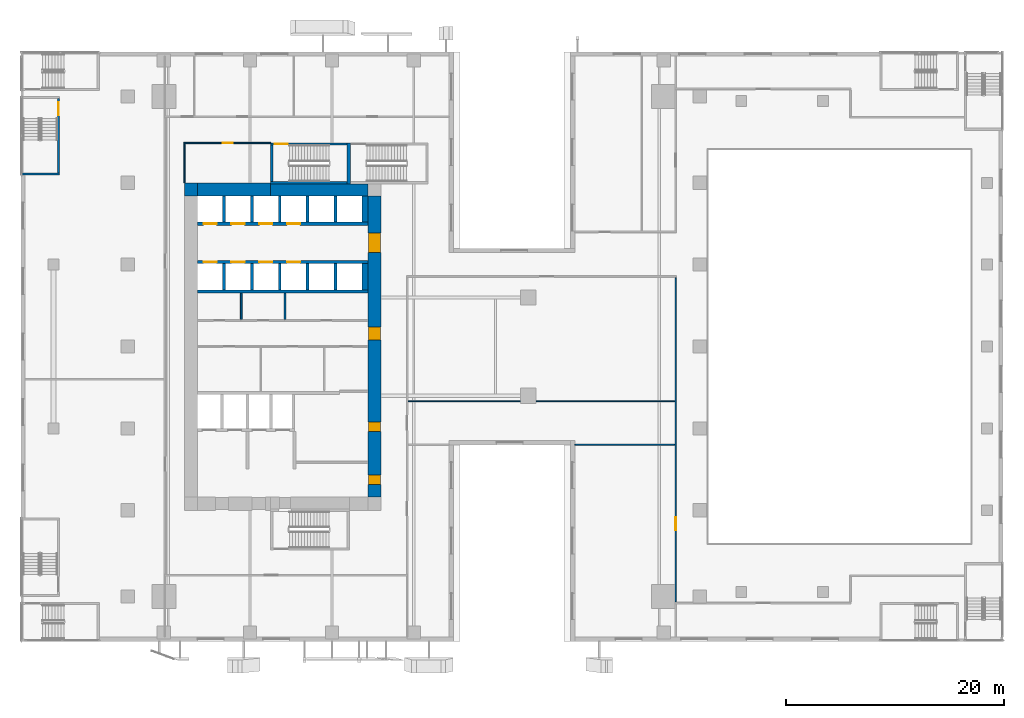
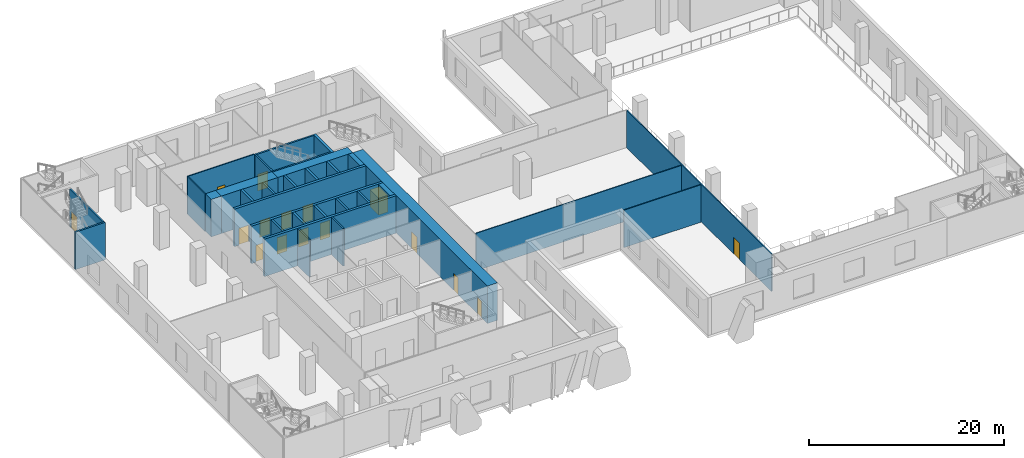
# One storey, part 12 of 23: 32 walls, 16 doors, 16 openings.
"""IFC4 building model written with IfcOpenShell, lengths in metres."""

from ifc_helpers import new_model, si_unit, direction, frame, frame_2d, origin, place, context, subcontext, project, spatial, rectangle, extrude, source, transform, mapped, material, layer, layer_set, type_object, element, fill, save


model = new_model("IFC4")

# Units and contexts
model_context = context("Model", 3, precision=1e-05, world=origin(), true_north=direction((0.0, 1.0)))
body_context = subcontext(model_context, "Body", "Model", "MODEL_VIEW")
ifc_project = project(units=[si_unit("LENGTHUNIT", "METRE"), si_unit("AREAUNIT", "SQUARE_METRE"), si_unit("VOLUMEUNIT", "CUBIC_METRE"), si_unit("PLANEANGLEUNIT", "RADIAN"), si_unit("MASSUNIT", "GRAM", prefix="KILO")], contexts=[model_context])

# Site, building, storey
site_placement = place(None, origin())
site = spatial("IfcSite", under=ifc_project, at=site_placement, CompositionType="ELEMENT")
building_placement = place(site_placement, origin())
building = spatial("IfcBuilding", under=site, at=building_placement, Name="Khomas Fold Tower", CompositionType="ELEMENT")
storey_placement = place(building_placement, frame((0.0, 0.0, 18.5)))
storey = spatial("IfcBuildingStorey", under=building, at=storey_placement, Name="L03", CompositionType="ELEMENT", Elevation=18.5)

# Walls
ifc_material_1 = material(Name="Concrete C70/85", Category="concrete")
ifc_layer_1 = layer(ifc_material_1, 1.199951171875)
ifc_layer_set_1 = layer_set([ifc_layer_1], Name="Concrete C70/85")
wall_type_1 = type_object("IfcWallType", Name="Core wall 1200", PredefinedType="SHEAR", material=ifc_layer_set_1)
shared_shape_1 = source(origin(), body_context, "Body", "SweptSolid", [
    extrude(rectangle(XDim=6.699951171875, YDim=1.199951171875, at=frame_2d((3.35009765625, 0.0))), origin(), (0.0, 0.0, 1.0), 4.699951171875),
])
wall_1_placement = place(storey_placement, frame((7.199951171875, 41.39990234375, 0.0), z_axis=(0.0, 0.0, 1.0), x_axis=(1.0, 0.0, 0.0)))
element("IfcWall", 1, at=wall_1_placement, inside=storey, type_object=wall_type_1, Name="Core wall CW-L-N-B2", PredefinedType="SHEAR", context=body_context, shape_type="MappedRepresentation", body=[
    mapped(shared_shape_1, transform((0.0, 0.0, 0.0))),
])
ifc_material_2 = material(Name="Concrete C70/85", Category="concrete")
ifc_layer_2 = layer(ifc_material_2, 1.10009765625)
ifc_layer_set_2 = layer_set([ifc_layer_2], Name="Concrete C70/85")
wall_type_2 = type_object("IfcWallType", Name="Core wall 1100", PredefinedType="SHEAR", material=ifc_layer_set_2)
shared_shape_2 = source(origin(), body_context, "Body", "SweptSolid", [
    extrude(rectangle(XDim=8.900146484375, YDim=1.10009765625, at=frame_2d((4.4501953125, 0.0))), origin(), (0.0, 0.0, 1.0), 4.699951171875),
])
wall_2_placement = place(storey_placement, frame((13.89990234375, 41.35009765625, 0.0), z_axis=(0.0, 0.0, 1.0), x_axis=(1.0, 0.0, 0.0)))
element("IfcWall", 2, at=wall_2_placement, inside=storey, type_object=wall_type_2, Name="Core wall CW-L-N-B2-1", PredefinedType="SHEAR", context=body_context, shape_type="MappedRepresentation", body=[
    mapped(shared_shape_2, transform((0.0, 0.0, 0.0))),
])
ifc_material_3 = material(Name="Concrete C70/85", Category="concrete")
ifc_layer_3 = layer(ifc_material_3, 1.199951171875)
ifc_layer_set_3 = layer_set([ifc_layer_3], Name="Concrete C70/85")
wall_type_3 = type_object("IfcWallType", Name="Core corner wall 1200", PredefinedType="SHEAR", material=ifc_layer_set_3)
shared_shape_3 = source(origin(), body_context, "Body", "SweptSolid", [
    extrude(rectangle(XDim=1.199951171875, YDim=1.199951171875, at=frame_2d((0.60009765625, 0.0))), origin(), (0.0, 0.0, 1.0), 4.699951171875),
])
wall_3_placement = place(storey_placement, frame((6.0, 41.39990234375, 0.0), z_axis=(0.0, 0.0, 1.0), x_axis=(1.0, 0.0, 0.0)))
element("IfcWall", 3, at=wall_3_placement, inside=storey, type_object=wall_type_3, Name="Core wall CW-L-NW-B2", PredefinedType="SHEAR", context=body_context, shape_type="MappedRepresentation", body=[
    mapped(shared_shape_3, transform((0.0, 0.0, 0.0))),
])

# Wall, openings, doors
shared_shape_4 = source(origin(), body_context, "Body", "SweptSolid", [
    extrude(rectangle(XDim=27.60009765625, YDim=1.199951171875, at=frame_2d((13.800048828125, 0.0))), origin(), (0.0, 0.0, 1.0), 4.699951171875),
])
wall_4_placement = place(storey_placement, frame((23.39990234375, 13.199951171875, 0.0), z_axis=(0.0, 0.0, 1.0), x_axis=(0.0, 1.0, 0.0)))
wall_4 = element("IfcWall", 4, at=wall_4_placement, inside=storey, type_object=wall_type_1, Name="Core wall CW-L-E-B2", PredefinedType="SHEAR", context=body_context, shape_type="MappedRepresentation", body=[
    mapped(shared_shape_4, transform((0.0, 0.0, 0.0))),
])
shared_shape_5 = source(origin(), body_context, "Body", "SweptSolid", [
    extrude(rectangle(XDim=1.800048828125, YDim=2.10009765625, at=frame_2d((0.89990234375, 1.050048828125))), frame((0.0, 0.60986328125, 0.0), z_axis=(0.0, -1.0, 0.0), x_axis=(1.0, 0.0, 0.0)), (0.0, 0.0, 1.0), 1.219970703125),
])
opening_1_placement = place(wall_4_placement, frame((22.39990234375, 0.0, 0.0)))
opening_1 = element("IfcOpeningElement", 5, at=opening_1_placement, cuts=wall_4, Name="Opening 0015", PredefinedType="OPENING", context=body_context, shape_type="MappedRepresentation", body=[
    mapped(shared_shape_5, transform((0.0, 0.0, 0.0))),
])
shared_shape_6 = source(origin(), body_context, "Body", "SweptSolid", [
    extrude(rectangle(XDim=1.199951171875, YDim=2.10009765625, at=frame_2d((0.60009765625, 1.050048828125))), frame((0.0, 0.60986328125, 0.0), z_axis=(0.0, -1.0, 0.0), x_axis=(1.0, 0.0, 0.0)), (0.0, 0.0, 1.0), 1.219970703125),
])
opening_2_placement = place(wall_4_placement, frame((14.39990234375, 0.0, 0.0)))
opening_2 = element("IfcOpeningElement", 6, at=opening_2_placement, cuts=wall_4, Name="Opening 0001", PredefinedType="OPENING", context=body_context, shape_type="MappedRepresentation", body=[
    mapped(shared_shape_6, transform((0.0, 0.0, 0.0))),
])
shared_shape_7 = source(origin(), body_context, "Body", "SweptSolid", [
    extrude(rectangle(XDim=0.89990234375, YDim=2.10009765625, at=frame_2d((0.449951171875, 1.050048828125))), frame((0.0, 0.60986328125, 0.0), z_axis=(0.0, -1.0, 0.0), x_axis=(1.0, 0.0, 0.0)), (0.0, 0.0, 1.0), 1.219970703125),
])
opening_3_placement = place(wall_4_placement, frame((1.14990234375, 0.0, 0.0)))
opening_3 = element("IfcOpeningElement", 7, at=opening_3_placement, cuts=wall_4, Name="Opening 0008", PredefinedType="OPENING", context=body_context, shape_type="MappedRepresentation", body=[
    mapped(shared_shape_7, transform((0.0, 0.0, 0.0))),
])
opening_4_placement = place(wall_4_placement, frame((6.0, 0.0, 0.0)))
opening_4 = element("IfcOpeningElement", 8, at=opening_4_placement, cuts=wall_4, Name="Opening 0003", PredefinedType="OPENING", context=body_context, shape_type="MappedRepresentation", body=[
    mapped(shared_shape_7, transform((0.0, 0.0, 0.0))),
])
ifc_material_4 = material(Name="Timber door leaf", Category="wood")
door_type_1 = type_object("IfcDoorType", Name="Door 1200x2100 right-hand", OperationType="SINGLE_SWING_RIGHT", PredefinedType="DOOR", material=ifc_material_4)
shared_shape_8 = source(origin(), body_context, "Body", "SweptSolid", [
    extrude(rectangle(XDim=1.199951171875, YDim=2.10009765625, at=frame_2d((0.60009765625, 1.050048828125))), frame((0.0, 0.5498046875, 0.0), z_axis=(0.0, -1.0, 0.0), x_axis=(1.0, 0.0, 0.0)), (0.0, 0.0, 1.0), 1.099853515625),
])
door_1_placement = place(opening_2_placement, origin())
door_1 = element("IfcDoor", 9, at=door_1_placement, inside=storey, type_object=door_type_1, Name="Door", OperationType="SINGLE_SWING_RIGHT", OverallHeight=2.10009765625, OverallWidth=1.199951171875, PredefinedType="DOOR", context=body_context, shape_type="MappedRepresentation", body=[
    mapped(shared_shape_8, transform((0.0, 0.0, 0.0))),
])
fill(opening_2, door_1)
ifc_material_5 = material(Name="Timber door leaf", Category="wood")
door_type_2 = type_object("IfcDoorType", Name="Door 900x2100 right-hand", OperationType="SINGLE_SWING_RIGHT", PredefinedType="DOOR", material=ifc_material_5)
shared_shape_9 = source(origin(), body_context, "Body", "SweptSolid", [
    extrude(rectangle(XDim=0.89990234375, YDim=2.10009765625, at=frame_2d((0.449951171875, 1.050048828125))), frame((0.0, 0.5498046875, 0.0), z_axis=(0.0, -1.0, 0.0), x_axis=(1.0, 0.0, 0.0)), (0.0, 0.0, 1.0), 1.099853515625),
])
door_2_placement = place(opening_3_placement, origin())
door_2 = element("IfcDoor", 10, at=door_2_placement, inside=storey, type_object=door_type_2, Name="Door", OperationType="SINGLE_SWING_RIGHT", OverallHeight=2.10009765625, OverallWidth=0.89990234375, PredefinedType="DOOR", context=body_context, shape_type="MappedRepresentation", body=[
    mapped(shared_shape_9, transform((0.0, 0.0, 0.0))),
])
fill(opening_3, door_2)
ifc_material_6 = material(Name="Steel door leaf", Category="steel")
door_type_3 = type_object("IfcDoorType", Name="Plant room door 900x2100 right-hand", OperationType="SINGLE_SWING_RIGHT", PredefinedType="DOOR", material=ifc_material_6)
door_3_placement = place(opening_4_placement, origin())
door_3 = element("IfcDoor", 11, at=door_3_placement, inside=storey, type_object=door_type_3, Name="Plant room door", OperationType="SINGLE_SWING_RIGHT", OverallHeight=2.10009765625, OverallWidth=0.89990234375, PredefinedType="DOOR", context=body_context, shape_type="MappedRepresentation", body=[
    mapped(shared_shape_9, transform((0.0, 0.0, 0.0))),
])
fill(opening_4, door_3)
ifc_material_7 = material(Name="Steel door leaf", Category="steel")
door_type_4 = type_object("IfcDoorType", Name="Lobby door 1800x2100", OperationType="DOUBLE_DOOR_SINGLE_SWING", PredefinedType="DOOR", material=ifc_material_7)
shared_shape_10 = source(origin(), body_context, "Body", "SweptSolid", [
    extrude(rectangle(XDim=1.800048828125, YDim=2.10009765625, at=frame_2d((0.89990234375, 1.050048828125))), frame((0.0, 0.5498046875, 0.0), z_axis=(0.0, -1.0, 0.0), x_axis=(1.0, 0.0, 0.0)), (0.0, 0.0, 1.0), 1.099853515625),
])
door_4_placement = place(opening_1_placement, origin())
door_4 = element("IfcDoor", 12, at=door_4_placement, inside=storey, type_object=door_type_4, Name="Lobby door", OperationType="DOUBLE_DOOR_SINGLE_SWING", OverallHeight=2.10009765625, OverallWidth=1.800048828125, PredefinedType="DOOR", context=body_context, shape_type="MappedRepresentation", body=[
    mapped(shared_shape_10, transform((0.0, 0.0, 0.0))),
])
fill(opening_1, door_4)

# Wall, opening, door
ifc_material_8 = material(Name="Concrete C50/60", Category="concrete")
ifc_layer_4 = layer(ifc_material_8, 0.199951171875)
ifc_layer_set_4 = layer_set([ifc_layer_4], Name="Concrete C50/60")
wall_type_4 = type_object("IfcWallType", Name="Stair wall 200", PredefinedType="SHEAR", material=ifc_layer_set_4)
shared_shape_11 = source(origin(), body_context, "Body", "SweptSolid", [
    extrude(rectangle(XDim=7.0, YDim=0.199951171875, at=frame_2d((3.5, 0.0))), origin(), (0.0, 0.0, 1.0), 4.699951171875),
])
wall_5_placement = place(storey_placement, frame((13.89990234375, 45.550048828125, 0.0), z_axis=(0.0, 0.0, 1.0), x_axis=(1.0, 0.0, 0.0)))
wall_5 = element("IfcWall", 13, at=wall_5_placement, inside=storey, type_object=wall_type_4, Name="Stair wall SW-ST1-N", PredefinedType="SHEAR", context=body_context, shape_type="MappedRepresentation", body=[
    mapped(shared_shape_11, transform((0.0, 0.0, 0.0))),
])
shared_shape_12 = source(origin(), body_context, "Body", "SweptSolid", [
    extrude(rectangle(XDim=1.199951171875, YDim=2.10009765625, at=frame_2d((0.60009765625, 1.050048828125))), frame((0.0, 0.10986328125, 0.0), z_axis=(0.0, -1.0, 0.0), x_axis=(1.0, 0.0, 0.0)), (0.0, 0.0, 1.0), 0.219970703125),
])
opening_5_placement = place(wall_5_placement, frame((0.35009765625, 0.0, 0.0)))
opening_5 = element("IfcOpeningElement", 14, at=opening_5_placement, cuts=wall_5, Name="Opening SD-ST1", PredefinedType="OPENING", context=body_context, shape_type="MappedRepresentation", body=[
    mapped(shared_shape_12, transform((0.0, 0.0, 0.0))),
])
ifc_material_9 = material(Name="Steel door leaf", Category="steel")
door_type_5 = type_object("IfcDoorType", Name="Stair door 1200x2100 left-hand", OperationType="SINGLE_SWING_LEFT", PredefinedType="DOOR", material=ifc_material_9)
shared_shape_13 = source(origin(), body_context, "Body", "SweptSolid", [
    extrude(rectangle(XDim=1.199951171875, YDim=2.10009765625, at=frame_2d((0.60009765625, 1.050048828125))), frame((0.0, 0.02490234375, 0.0), z_axis=(0.0, -1.0, 0.0), x_axis=(1.0, 0.0, 0.0)), (0.0, 0.0, 1.0), 0.050048828125),
])
door_5_placement = place(opening_5_placement, origin())
door_5 = element("IfcDoor", 15, at=door_5_placement, inside=storey, type_object=door_type_5, Name="Stair door", OperationType="SINGLE_SWING_LEFT", OverallHeight=2.10009765625, OverallWidth=1.199951171875, PredefinedType="DOOR", context=body_context, shape_type="MappedRepresentation", body=[
    mapped(shared_shape_13, transform((0.0, 0.0, 0.0))),
])
fill(opening_5, door_5)

# Walls
wall_6_placement = place(storey_placement, frame((13.89990234375, 42.0, 0.0), z_axis=(0.0, 0.0, 1.0), x_axis=(1.0, 0.0, 0.0)))
element("IfcWall", 16, at=wall_6_placement, inside=storey, type_object=wall_type_4, Name="Stair wall SW-ST1-S", PredefinedType="SHEAR", context=body_context, shape_type="MappedRepresentation", body=[
    mapped(shared_shape_11, transform((0.0, 0.0, 0.0))),
])
ifc_material_10 = material(Name="Concrete C50/60", Category="concrete")
ifc_layer_5 = layer(ifc_material_10, 0.300048828125)
ifc_layer_set_5 = layer_set([ifc_layer_5], Name="Concrete C50/60")
wall_type_5 = type_object("IfcWallType", Name="Stair wall 300", PredefinedType="SHEAR", material=ifc_layer_set_5)
shared_shape_14 = source(origin(), body_context, "Body", "SweptSolid", [
    extrude(rectangle(XDim=3.75, YDim=0.300048828125, at=frame_2d((1.875, 0.0))), origin(), (0.0, 0.0, 1.0), 4.699951171875),
])
wall_7_placement = place(storey_placement, frame((21.050048828125, 41.89990234375, 0.0), z_axis=(0.0, 0.0, 1.0), x_axis=(0.0, 1.0, 0.0)))
element("IfcWall", 17, at=wall_7_placement, inside=storey, type_object=wall_type_5, Name="Stair wall SW-ST1-E", PredefinedType="SHEAR", context=body_context, shape_type="MappedRepresentation", body=[
    mapped(shared_shape_14, transform((0.0, 0.0, 0.0))),
])
shared_shape_15 = source(origin(), body_context, "Body", "SweptSolid", [
    extrude(rectangle(XDim=3.349853515625, YDim=0.199951171875, at=frame_2d((1.6748046875, 0.0))), origin(), (0.0, 0.0, 1.0), 4.699951171875),
])
wall_8_placement = place(storey_placement, frame((14.0, 42.10009765625, 0.0), z_axis=(0.0, 0.0, 1.0), x_axis=(0.0, 1.0, 0.0)))
element("IfcWall", 18, at=wall_8_placement, inside=storey, type_object=wall_type_4, Name="Stair wall SW-ST1-W", PredefinedType="SHEAR", context=body_context, shape_type="MappedRepresentation", body=[
    mapped(shared_shape_15, transform((0.0, 0.0, 0.0))),
])
ifc_material_11 = material(Name="Concrete C50/60", Category="concrete")
ifc_layer_6 = layer(ifc_material_11, 0.300048828125)
ifc_layer_set_6 = layer_set([ifc_layer_6], Name="Concrete C50/60")
wall_type_6 = type_object("IfcWallType", Name="Shaft wall 300", PredefinedType="STANDARD", material=ifc_layer_set_6)
shared_shape_16 = source(origin(), body_context, "Body", "SweptSolid", [
    extrude(rectangle(XDim=15.60009765625, YDim=0.300048828125, at=frame_2d((7.800048828125, 0.0))), origin(), (0.0, 0.0, 1.0), 4.699951171875),
])
wall_9_placement = place(storey_placement, frame((7.199951171875, 32.050048828125, 0.0), z_axis=(0.0, 0.0, 1.0), x_axis=(1.0, 0.0, 0.0)))
element("IfcWall", 19, at=wall_9_placement, inside=storey, type_object=wall_type_6, Name="Core wall SW-HRN-B", PredefinedType="STANDARD", context=body_context, shape_type="MappedRepresentation", body=[
    mapped(shared_shape_16, transform((0.0, 0.0, 0.0))),
])

# Wall, openings, doors
wall_10_placement = place(storey_placement, frame((7.199951171875, 38.25, 0.0), z_axis=(0.0, 0.0, 1.0), x_axis=(1.0, 0.0, 0.0)))
wall_10 = element("IfcWall", 20, at=wall_10_placement, inside=storey, type_object=wall_type_6, Name="Core wall SW-LRN-F", PredefinedType="STANDARD", context=body_context, shape_type="MappedRepresentation", body=[
    mapped(shared_shape_16, transform((0.0, 0.0, 0.0))),
])
shared_shape_17 = source(origin(), body_context, "Body", "SweptSolid", [
    extrude(rectangle(XDim=1.199951171875, YDim=2.10009765625, at=frame_2d((0.60009765625, 1.050048828125))), frame((0.0, 0.159912109375, 0.0), z_axis=(0.0, -1.0, 0.0), x_axis=(1.0, 0.0, 0.0)), (0.0, 0.0, 1.0), 0.320068359375),
])
opening_6_placement = place(wall_10_placement, frame((0.550048828125, 0.0, 0.0)))
opening_6 = element("IfcOpeningElement", 21, at=opening_6_placement, cuts=wall_10, Name="Opening LD-LR5", PredefinedType="OPENING", context=body_context, shape_type="MappedRepresentation", body=[
    mapped(shared_shape_17, transform((0.0, 0.0, 0.0))),
])
opening_7_placement = place(wall_10_placement, frame((3.10009765625, 0.0, 0.0)))
opening_7 = element("IfcOpeningElement", 22, at=opening_7_placement, cuts=wall_10, Name="Opening LD-LR6", PredefinedType="OPENING", context=body_context, shape_type="MappedRepresentation", body=[
    mapped(shared_shape_17, transform((0.0, 0.0, 0.0))),
])
opening_8_placement = place(wall_10_placement, frame((5.64990234375, 0.0, 0.0)))
opening_8 = element("IfcOpeningElement", 23, at=opening_8_placement, cuts=wall_10, Name="Opening LD-LR7", PredefinedType="OPENING", context=body_context, shape_type="MappedRepresentation", body=[
    mapped(shared_shape_17, transform((0.0, 0.0, 0.0))),
])
opening_9_placement = place(wall_10_placement, frame((8.199951171875, 0.0, 0.0)))
opening_9 = element("IfcOpeningElement", 24, at=opening_9_placement, cuts=wall_10, Name="Opening LD-LR8", PredefinedType="OPENING", context=body_context, shape_type="MappedRepresentation", body=[
    mapped(shared_shape_17, transform((0.0, 0.0, 0.0))),
])
ifc_material_12 = material(Name="Steel door leaf", Category="steel")
door_type_6 = type_object("IfcDoorType", Name="Landing door 1200x2100", OperationType="DOUBLE_DOOR_SLIDING", PredefinedType="DOOR", material=ifc_material_12)
door_6_placement = place(opening_6_placement, origin())
door_6 = element("IfcDoor", 25, at=door_6_placement, inside=storey, type_object=door_type_6, Name="Lift landing door", OperationType="DOUBLE_DOOR_SLIDING", OverallHeight=2.10009765625, OverallWidth=1.199951171875, PredefinedType="DOOR", context=body_context, shape_type="MappedRepresentation", body=[
    mapped(shared_shape_13, transform((0.0, 0.0, 0.0))),
])
fill(opening_6, door_6)
door_7_placement = place(opening_7_placement, origin())
door_7 = element("IfcDoor", 26, at=door_7_placement, inside=storey, type_object=door_type_6, Name="Lift landing door", OperationType="DOUBLE_DOOR_SLIDING", OverallHeight=2.10009765625, OverallWidth=1.199951171875, PredefinedType="DOOR", context=body_context, shape_type="MappedRepresentation", body=[
    mapped(shared_shape_13, transform((0.0, 0.0, 0.0))),
])
fill(opening_7, door_7)
door_8_placement = place(opening_8_placement, origin())
door_8 = element("IfcDoor", 27, at=door_8_placement, inside=storey, type_object=door_type_6, Name="Lift landing door", OperationType="DOUBLE_DOOR_SLIDING", OverallHeight=2.10009765625, OverallWidth=1.199951171875, PredefinedType="DOOR", context=body_context, shape_type="MappedRepresentation", body=[
    mapped(shared_shape_13, transform((0.0, 0.0, 0.0))),
])
fill(opening_8, door_8)
door_9_placement = place(opening_9_placement, origin())
door_9 = element("IfcDoor", 28, at=door_9_placement, inside=storey, type_object=door_type_6, Name="Lift landing door", OperationType="DOUBLE_DOOR_SLIDING", OverallHeight=2.10009765625, OverallWidth=1.199951171875, PredefinedType="DOOR", context=body_context, shape_type="MappedRepresentation", body=[
    mapped(shared_shape_13, transform((0.0, 0.0, 0.0))),
])
fill(opening_9, door_9)

wall_11_placement = place(storey_placement, frame((7.199951171875, 34.75, 0.0), z_axis=(0.0, 0.0, 1.0), x_axis=(1.0, 0.0, 0.0)))
wall_11 = element("IfcWall", 29, at=wall_11_placement, inside=storey, type_object=wall_type_6, Name="Core wall SW-LRS-F", PredefinedType="STANDARD", context=body_context, shape_type="MappedRepresentation", body=[
    mapped(shared_shape_16, transform((0.0, 0.0, 0.0))),
])
opening_10_placement = place(wall_11_placement, frame((0.550048828125, 0.0, 0.0)))
opening_10 = element("IfcOpeningElement", 30, at=opening_10_placement, cuts=wall_11, Name="Opening LD-LR1", PredefinedType="OPENING", context=body_context, shape_type="MappedRepresentation", body=[
    mapped(shared_shape_17, transform((0.0, 0.0, 0.0))),
])
opening_11_placement = place(wall_11_placement, frame((3.10009765625, 0.0, 0.0)))
opening_11 = element("IfcOpeningElement", 31, at=opening_11_placement, cuts=wall_11, Name="Opening LD-LR2", PredefinedType="OPENING", context=body_context, shape_type="MappedRepresentation", body=[
    mapped(shared_shape_17, transform((0.0, 0.0, 0.0))),
])
opening_12_placement = place(wall_11_placement, frame((5.64990234375, 0.0, 0.0)))
opening_12 = element("IfcOpeningElement", 32, at=opening_12_placement, cuts=wall_11, Name="Opening LD-LR3", PredefinedType="OPENING", context=body_context, shape_type="MappedRepresentation", body=[
    mapped(shared_shape_17, transform((0.0, 0.0, 0.0))),
])
opening_13_placement = place(wall_11_placement, frame((8.199951171875, 0.0, 0.0)))
opening_13 = element("IfcOpeningElement", 33, at=opening_13_placement, cuts=wall_11, Name="Opening LD-LR4", PredefinedType="OPENING", context=body_context, shape_type="MappedRepresentation", body=[
    mapped(shared_shape_17, transform((0.0, 0.0, 0.0))),
])
door_10_placement = place(opening_10_placement, origin())
door_10 = element("IfcDoor", 34, at=door_10_placement, inside=storey, type_object=door_type_6, Name="Lift landing door", OperationType="DOUBLE_DOOR_SLIDING", OverallHeight=2.10009765625, OverallWidth=1.199951171875, PredefinedType="DOOR", context=body_context, shape_type="MappedRepresentation", body=[
    mapped(shared_shape_13, transform((0.0, 0.0, 0.0))),
])
fill(opening_10, door_10)
door_11_placement = place(opening_11_placement, origin())
door_11 = element("IfcDoor", 35, at=door_11_placement, inside=storey, type_object=door_type_6, Name="Lift landing door", OperationType="DOUBLE_DOOR_SLIDING", OverallHeight=2.10009765625, OverallWidth=1.199951171875, PredefinedType="DOOR", context=body_context, shape_type="MappedRepresentation", body=[
    mapped(shared_shape_13, transform((0.0, 0.0, 0.0))),
])
fill(opening_11, door_11)
door_12_placement = place(opening_12_placement, origin())
door_12 = element("IfcDoor", 36, at=door_12_placement, inside=storey, type_object=door_type_6, Name="Lift landing door", OperationType="DOUBLE_DOOR_SLIDING", OverallHeight=2.10009765625, OverallWidth=1.199951171875, PredefinedType="DOOR", context=body_context, shape_type="MappedRepresentation", body=[
    mapped(shared_shape_13, transform((0.0, 0.0, 0.0))),
])
fill(opening_12, door_12)
door_13_placement = place(opening_13_placement, origin())
door_13 = element("IfcDoor", 37, at=door_13_placement, inside=storey, type_object=door_type_6, Name="Lift landing door", OperationType="DOUBLE_DOOR_SLIDING", OverallHeight=2.10009765625, OverallWidth=1.199951171875, PredefinedType="DOOR", context=body_context, shape_type="MappedRepresentation", body=[
    mapped(shared_shape_13, transform((0.0, 0.0, 0.0))),
])
fill(opening_13, door_13)

# Walls
ifc_material_13 = material(Name="Concrete C50/60", Category="concrete")
ifc_layer_7 = layer(ifc_material_13, 0.25)
ifc_layer_set_7 = layer_set([ifc_layer_7], Name="Concrete C50/60")
wall_type_7 = type_object("IfcWallType", Name="Shaft wall 250", PredefinedType="STANDARD", material=ifc_layer_set_7)
shared_shape_18 = source(origin(), body_context, "Body", "SweptSolid", [
    extrude(rectangle(XDim=2.400146484375, YDim=0.25, at=frame_2d((1.2001953125, 0.0))), origin(), (0.0, 0.0, 1.0), 4.699951171875),
])
for number, where, z_axis, x_axis, name in (
    (38, (9.625, 38.39990234375, 0.0), (0.0, 0.0, 1.0), (0.0, 1.0, 0.0), "Core wall SW-LRN-P1"),
    (39, (12.175048828125, 38.39990234375, 0.0), (0.0, 0.0, 1.0), (0.0, 1.0, 0.0), "Core wall SW-LRN-P2"),
    (40, (14.72509765625, 38.39990234375, 0.0), (0.0, 0.0, 1.0), (0.0, 1.0, 0.0), "Core wall SW-LRN-P3"),
    (41, (17.27490234375, 38.39990234375, 0.0), (0.0, 0.0, 1.0), (0.0, 1.0, 0.0), "Core wall SW-LRN-P4"),
    (42, (19.824951171875, 38.39990234375, 0.0), (0.0, 0.0, 1.0), (0.0, 1.0, 0.0), "Core wall SW-LRN-P5"),
    (43, (9.625, 32.199951171875, 0.0), (0.0, 0.0, 1.0), (0.0, 1.0, 0.0), "Core wall SW-LRS-P1"),
    (44, (12.175048828125, 32.199951171875, 0.0), (0.0, 0.0, 1.0), (0.0, 1.0, 0.0), "Core wall SW-LRS-P2"),
    (45, (14.72509765625, 32.199951171875, 0.0), (0.0, 0.0, 1.0), (0.0, 1.0, 0.0), "Core wall SW-LRS-P3"),
    (46, (17.27490234375, 32.199951171875, 0.0), (0.0, 0.0, 1.0), (0.0, 1.0, 0.0), "Core wall SW-LRS-P4"),
    (47, (19.824951171875, 32.199951171875, 0.0), (0.0, 0.0, 1.0), (0.0, 1.0, 0.0), "Core wall SW-LRS-P5"),
):
    element("IfcWall", number, at=place(storey_placement, frame(where, z_axis=z_axis, x_axis=x_axis)), inside=storey, type_object=wall_type_7, Name=name, PredefinedType="STANDARD", context=body_context, shape_type="MappedRepresentation", body=[
        mapped(shared_shape_18, transform((0.0, 0.0, 0.0))),
    ])
ifc_material_14 = material(Name="Concrete C50/60", Category="concrete")
ifc_layer_8 = layer(ifc_material_14, 0.550048828125)
ifc_layer_set_8 = layer_set([ifc_layer_8], Name="Concrete C50/60")
wall_type_8 = type_object("IfcWallType", Name="Shaft wall 550", PredefinedType="STANDARD", material=ifc_layer_set_8)
shared_shape_19 = source(origin(), body_context, "Body", "SweptSolid", [
    extrude(rectangle(XDim=2.400146484375, YDim=0.550048828125, at=frame_2d((1.2001953125, 0.0))), origin(), (0.0, 0.0, 1.0), 4.699951171875),
])
for number, where, z_axis, x_axis, name in (
    (48, (22.52490234375, 38.39990234375, 0.0), (0.0, 0.0, 1.0), (0.0, 1.0, 0.0), "Core wall SW-LRN-PE"),
    (49, (22.52490234375, 32.199951171875, 0.0), (0.0, 0.0, 1.0), (0.0, 1.0, 0.0), "Core wall SW-LRS-PE"),
):
    element("IfcWall", number, at=place(storey_placement, frame(where, z_axis=z_axis, x_axis=x_axis)), inside=storey, type_object=wall_type_8, Name=name, PredefinedType="STANDARD", context=body_context, shape_type="MappedRepresentation", body=[
        mapped(shared_shape_19, transform((0.0, 0.0, 0.0))),
    ])
ifc_material_15 = material(Name="Concrete C30/37", Category="concrete")
ifc_layer_9 = layer(ifc_material_15, 0.199951171875)
ifc_layer_set_9 = layer_set([ifc_layer_9], Name="Concrete C30/37")
wall_type_9 = type_object("IfcWallType", Name="Stair wall PW5 200", PredefinedType="PARTITIONING", material=ifc_layer_set_9)
shared_shape_20 = source(origin(), body_context, "Body", "SweptSolid", [
    extrude(rectangle(XDim=3.550048828125, YDim=0.199951171875, at=frame_2d((1.77490234375, 0.0))), origin(), (0.0, 0.0, 1.0), 4.699951171875),
])
wall_12_placement = place(storey_placement, frame((-9.0, 42.800048828125, 0.0), z_axis=(0.0, 0.0, 1.0), x_axis=(1.0, 0.0, 0.0)))
element("IfcWall", 50, at=wall_12_placement, inside=storey, type_object=wall_type_9, Name="Stair wall", PredefinedType="PARTITIONING", context=body_context, shape_type="MappedRepresentation", body=[
    mapped(shared_shape_20, transform((0.0, 0.0, 0.0))),
])

# Wall, opening, door
shared_shape_21 = source(origin(), body_context, "Body", "SweptSolid", [
    extrude(rectangle(XDim=6.800048828125, YDim=0.199951171875, at=frame_2d((3.39990234375, 0.0))), origin(), (0.0, 0.0, 1.0), 4.699951171875),
])
wall_13_placement = place(storey_placement, frame((-5.550048828125, 42.89990234375, 0.0), z_axis=(0.0, 0.0, 1.0), x_axis=(0.0, 1.0, 0.0)))
wall_13 = element("IfcWall", 51, at=wall_13_placement, inside=storey, type_object=wall_type_9, Name="Stair wall", PredefinedType="PARTITIONING", context=body_context, shape_type="MappedRepresentation", body=[
    mapped(shared_shape_21, transform((0.0, 0.0, 0.0))),
])
opening_14_placement = place(wall_13_placement, frame((5.300048828125, 0.0, 0.0)))
opening_14 = element("IfcOpeningElement", 52, at=opening_14_placement, cuts=wall_13, Name="Opening 0017", PredefinedType="OPENING", context=body_context, shape_type="MappedRepresentation", body=[
    mapped(shared_shape_12, transform((0.0, 0.0, 0.0))),
])
door_14_placement = place(opening_14_placement, origin())
door_14 = element("IfcDoor", 53, at=door_14_placement, inside=storey, type_object=door_type_5, Name="Stair door", OperationType="SINGLE_SWING_LEFT", OverallHeight=2.10009765625, OverallWidth=1.199951171875, PredefinedType="DOOR", context=body_context, shape_type="MappedRepresentation", body=[
    mapped(shared_shape_13, transform((0.0, 0.0, 0.0))),
])
fill(opening_14, door_14)

ifc_material_16 = material(Name="Plasterboard partition")
ifc_layer_10 = layer(ifc_material_16, 0.125)
ifc_layer_set_10 = layer_set([ifc_layer_10], Name="Plasterboard partition")
wall_type_10 = type_object("IfcWallType", Name="Partition PW2 125", PredefinedType="PARTITIONING", material=ifc_layer_set_10)
shared_shape_22 = source(origin(), body_context, "Body", "SweptSolid", [
    extrude(rectangle(XDim=29.699951171875, YDim=0.125, at=frame_2d((14.85009765625, 0.0))), origin(), (0.0, 0.0, 1.0), 4.699951171875),
])
wall_14_placement = place(storey_placement, frame((51.0, 3.60009765625, 0.0), z_axis=(0.0, 0.0, 1.0), x_axis=(0.0, 1.0, 0.0)))
wall_14 = element("IfcWall", 54, at=wall_14_placement, inside=storey, type_object=wall_type_10, Name="Partition", PredefinedType="PARTITIONING", context=body_context, shape_type="MappedRepresentation", body=[
    mapped(shared_shape_22, transform((0.0, 0.0, 0.0))),
])
shared_shape_23 = source(origin(), body_context, "Body", "SweptSolid", [
    extrude(rectangle(XDim=1.199951171875, YDim=2.10009765625, at=frame_2d((0.60009765625, 1.050048828125))), frame((0.0, 0.072509765625, 0.0), z_axis=(0.0, -1.0, 0.0), x_axis=(1.0, 0.0, 0.0)), (0.0, 0.0, 1.0), 0.14501953125),
])
opening_15_placement = place(wall_14_placement, frame((6.550048828125, 0.0, 0.0)))
opening_15 = element("IfcOpeningElement", 55, at=opening_15_placement, cuts=wall_14, Name="Opening 0001", PredefinedType="OPENING", context=body_context, shape_type="MappedRepresentation", body=[
    mapped(shared_shape_23, transform((0.0, 0.0, 0.0))),
])
door_15_placement = place(opening_15_placement, origin())
door_15 = element("IfcDoor", 56, at=door_15_placement, inside=storey, type_object=door_type_1, Name="Door", OperationType="SINGLE_SWING_RIGHT", OverallHeight=2.10009765625, OverallWidth=1.199951171875, PredefinedType="DOOR", context=body_context, shape_type="MappedRepresentation", body=[
    mapped(shared_shape_13, transform((0.0, 0.0, 0.0))),
])
fill(opening_15, door_15)

# Walls
ifc_material_17 = material(Name="Plasterboard partition")
ifc_layer_11 = layer(ifc_material_17, 0.10009765625)
ifc_layer_set_11 = layer_set([ifc_layer_11], Name="Plasterboard partition")
wall_type_11 = type_object("IfcWallType", Name="Partition PW1 100", PredefinedType="PARTITIONING", material=ifc_layer_set_11)
shared_shape_24 = source(origin(), body_context, "Body", "SweptSolid", [
    extrude(rectangle(XDim=9.14990234375, YDim=0.10009765625, at=frame_2d((4.574951171875, 0.0))), origin(), (0.0, 0.0, 1.0), 4.699951171875),
])
wall_15_placement = place(storey_placement, frame((41.75, 18.0, 0.0), z_axis=(0.0, 0.0, 1.0), x_axis=(1.0, 0.0, 0.0)))
element("IfcWall", 57, at=wall_15_placement, inside=storey, type_object=wall_type_11, Name="Partition", PredefinedType="PARTITIONING", context=body_context, shape_type="MappedRepresentation", body=[
    mapped(shared_shape_24, transform((0.0, 0.0, 0.0))),
])
shared_shape_25 = source(origin(), body_context, "Body", "SweptSolid", [
    extrude(rectangle(XDim=24.39990234375, YDim=0.10009765625, at=frame_2d((12.199951171875, 0.0))), origin(), (0.0, 0.0, 1.0), 4.699951171875),
])
wall_16_placement = place(storey_placement, frame((26.5, 22.0, 0.0), z_axis=(0.0, 0.0, 1.0), x_axis=(1.0, 0.0, 0.0)))
element("IfcWall", 58, at=wall_16_placement, inside=storey, type_object=wall_type_11, Name="Partition", PredefinedType="PARTITIONING", context=body_context, shape_type="MappedRepresentation", body=[
    mapped(shared_shape_25, transform((0.0, 0.0, 0.0))),
])
ifc_material_18 = material(Name="Plasterboard fire partition")
ifc_layer_12 = layer(ifc_material_18, 0.14990234375)
ifc_layer_set_12 = layer_set([ifc_layer_12], Name="Plasterboard fire partition")
wall_type_12 = type_object("IfcWallType", Name="Plant room wall PW3 150", PredefinedType="PARTITIONING", material=ifc_layer_set_12)
shared_shape_26 = source(origin(), body_context, "Body", "SweptSolid", [
    extrude(rectangle(XDim=2.39990234375, YDim=0.14990234375, at=frame_2d((1.199951171875, 0.0))), origin(), (0.0, 0.0, 1.0), 4.699951171875),
])
for number, where, z_axis, x_axis, name in (
    (59, (11.199951171875, 29.5, 0.0), (0.0, 0.0, 1.0), (0.0, 1.0, 0.0), "Plant room wall"),
    (60, (15.199951171875, 29.5, 0.0), (0.0, 0.0, 1.0), (0.0, 1.0, 0.0), "Plant room wall"),
):
    element("IfcWall", number, at=place(storey_placement, frame(where, z_axis=z_axis, x_axis=x_axis)), inside=storey, type_object=wall_type_12, Name=name, PredefinedType="PARTITIONING", context=body_context, shape_type="MappedRepresentation", body=[
        mapped(shared_shape_26, transform((0.0, 0.0, 0.0))),
    ])
shared_shape_27 = source(origin(), body_context, "Body", "SweptSolid", [
    extrude(rectangle(XDim=3.550048828125, YDim=0.125, at=frame_2d((1.77490234375, 0.0))), origin(), (0.0, 0.0, 1.0), 4.699951171875),
])
wall_17_placement = place(storey_placement, frame((6.0, 42.0, 0.0), z_axis=(0.0, 0.0, 1.0), x_axis=(0.0, 1.0, 0.0)))
element("IfcWall", 61, at=wall_17_placement, inside=storey, type_object=wall_type_10, Name="Partition", PredefinedType="PARTITIONING", context=body_context, shape_type="MappedRepresentation", body=[
    mapped(shared_shape_27, transform((0.0, 0.0, 0.0))),
])

# Wall, opening, door
shared_shape_28 = source(origin(), body_context, "Body", "SweptSolid", [
    extrude(rectangle(XDim=7.949951171875, YDim=0.125, at=frame_2d((3.97509765625, 0.0))), origin(), (0.0, 0.0, 1.0), 4.699951171875),
])
wall_18_placement = place(storey_placement, frame((5.949951171875, 45.64990234375, 0.0), z_axis=(0.0, 0.0, 1.0), x_axis=(1.0, 0.0, 0.0)))
wall_18 = element("IfcWall", 62, at=wall_18_placement, inside=storey, type_object=wall_type_10, Name="Partition", PredefinedType="PARTITIONING", context=body_context, shape_type="MappedRepresentation", body=[
    mapped(shared_shape_28, transform((0.0, 0.0, 0.0))),
])
shared_shape_29 = source(origin(), body_context, "Body", "SweptSolid", [
    extrude(rectangle(XDim=0.89990234375, YDim=2.10009765625, at=frame_2d((0.449951171875, 1.050048828125))), frame((0.0, 0.072509765625, 0.0), z_axis=(0.0, -1.0, 0.0), x_axis=(1.0, 0.0, 0.0)), (0.0, 0.0, 1.0), 0.14501953125),
])
opening_16_placement = place(wall_18_placement, frame((3.550048828125, 0.0, 0.0)))
opening_16 = element("IfcOpeningElement", 63, at=opening_16_placement, cuts=wall_18, Name="Opening 0007", PredefinedType="OPENING", context=body_context, shape_type="MappedRepresentation", body=[
    mapped(shared_shape_29, transform((0.0, 0.0, 0.0))),
])
ifc_material_19 = material(Name="Timber door leaf", Category="wood")
door_type_7 = type_object("IfcDoorType", Name="Door 900x2100 left-hand", OperationType="SINGLE_SWING_LEFT", PredefinedType="DOOR", material=ifc_material_19)
shared_shape_30 = source(origin(), body_context, "Body", "SweptSolid", [
    extrude(rectangle(XDim=0.89990234375, YDim=2.10009765625, at=frame_2d((0.449951171875, 1.050048828125))), frame((0.0, 0.02490234375, 0.0), z_axis=(0.0, -1.0, 0.0), x_axis=(1.0, 0.0, 0.0)), (0.0, 0.0, 1.0), 0.050048828125),
])
door_16_placement = place(opening_16_placement, origin())
door_16 = element("IfcDoor", 64, at=door_16_placement, inside=storey, type_object=door_type_7, Name="Door", OperationType="SINGLE_SWING_LEFT", OverallHeight=2.10009765625, OverallWidth=0.89990234375, PredefinedType="DOOR", context=body_context, shape_type="MappedRepresentation", body=[
    mapped(shared_shape_30, transform((0.0, 0.0, 0.0))),
])
fill(opening_16, door_16)

save(model, "model.ifc")
